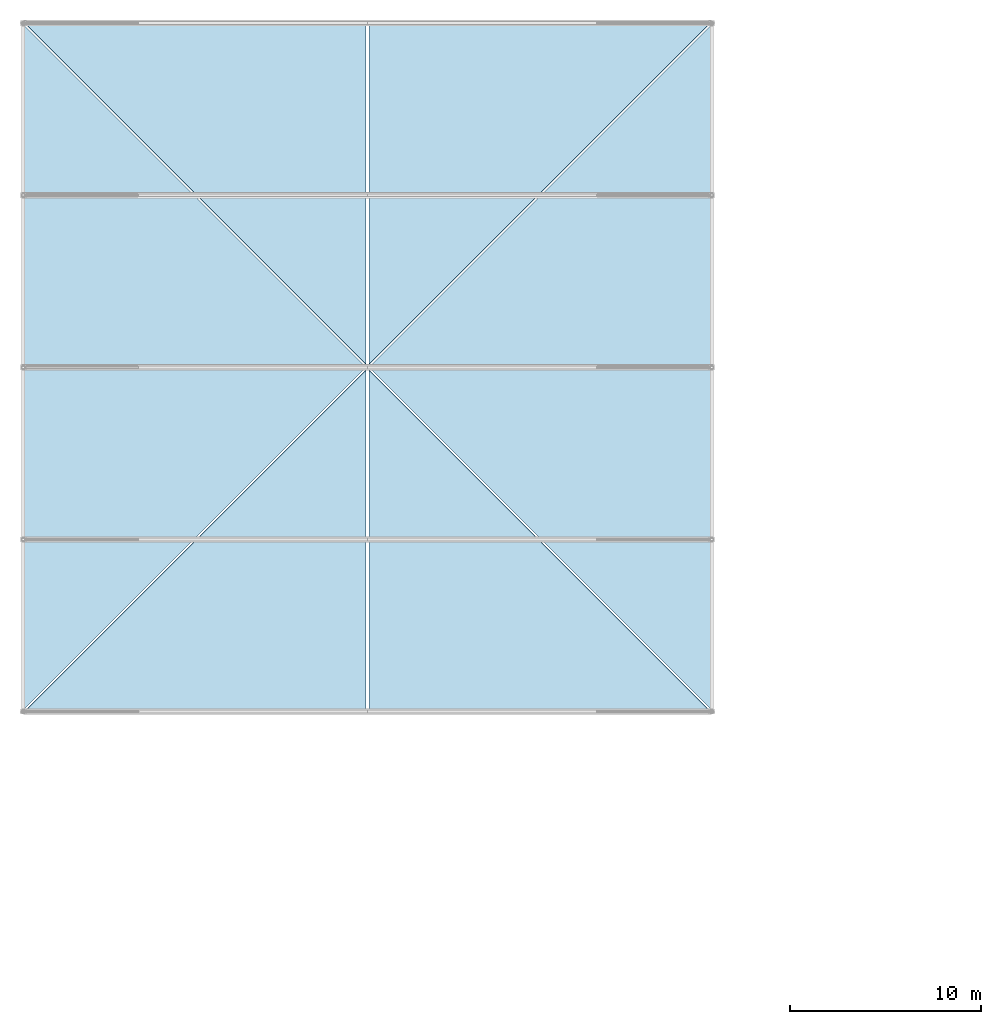
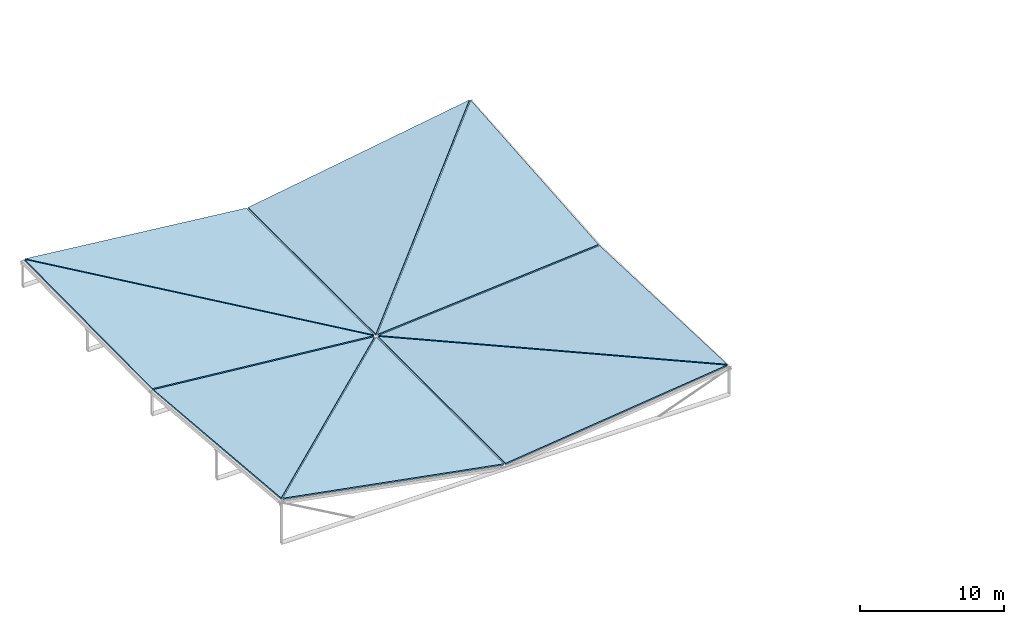
# One storey, part 43 of 44: 8 roofs.
"""IFC4 building model written with IfcOpenShell, lengths in metres."""

from ifc_helpers import new_model, si_unit, direction, frame, origin, place, context, subcontext, project, spatial, polyline, outline, extrude, material, layer, layer_set, type_object, element, save


model = new_model("IFC4")

# Units and contexts
model_context = context("Model", 3, precision=1e-05, world=origin(), true_north=direction((0.0, 1.0)))
body_context = subcontext(model_context, "Body", "Model", "MODEL_VIEW")
ifc_project = project(units=[si_unit("LENGTHUNIT", "METRE"), si_unit("AREAUNIT", "SQUARE_METRE"), si_unit("VOLUMEUNIT", "CUBIC_METRE"), si_unit("PLANEANGLEUNIT", "RADIAN"), si_unit("MASSUNIT", "GRAM", prefix="KILO")], contexts=[model_context])

# Site, building, storey
site_placement = place(None, origin())
site = spatial("IfcSite", under=ifc_project, at=site_placement, CompositionType="ELEMENT")
building_placement = place(site_placement, origin())
building = spatial("IfcBuilding", under=site, at=building_placement, Name="Deido Ridge Mobility Hub", CompositionType="ELEMENT")
storey_placement = place(building_placement, frame((0.0, 0.0, 25.199951171875)))
storey = spatial("IfcBuildingStorey", under=building, at=storey_placement, Name="L06", CompositionType="ELEMENT", Elevation=25.199951171875)

# Roofs
ifc_material = material(Name="Standing-seam aluminium roofing EN AW-3004", Category="aluminium")
ifc_layer = layer(ifc_material, 0.110107421875, Name="Standing-seam aluminium roofing EN AW-3004")
ifc_layer_set = layer_set([ifc_layer], Name="Standing-seam aluminium roofing EN AW-3004")
roof_type = type_object("IfcRoofType", Name="ROOF-SPORTS-BUTTERFLY", PredefinedType="BUTTERFLY_ROOF", material=ifc_layer_set)
roof_1_placement = place(storey_placement, frame((63.14404296875, 45.072021484375, 3.67529296875), z_axis=(0.182435804909, 0.0, 0.983217766869), x_axis=(0.983217766869, 0.0, -0.182435804909)))
element("IfcRoof", 1, at=roof_1_placement, inside=storey, type_object=roof_type, Name="Folded origami standing-seam roof Origami-SW1", PredefinedType="BUTTERFLY_ROOF", context=body_context, shape_type="SweptSolid", body=[
    extrude(outline(polyline([(0.0, 0.0), (18.087483918750312, 0.0), (18.087483918750312, 17.783935546875), (0.0, 0.0)])), origin(), (0.0, 0.0, -1.0), 0.110107421875),
])
roof_2_placement = place(storey_placement, frame((63.072021484375, 45.14404296875, 3.68212890625), z_axis=(0.095850739404, 0.088119523843, 0.991487561835), x_axis=(0.701098054968, 0.701098054968, -0.130088564597)))
element("IfcRoof", 2, at=roof_2_placement, inside=storey, type_object=roof_type, Name="Folded origami standing-seam roof Origami-SW2", PredefinedType="BUTTERFLY_ROOF", context=body_context, shape_type="SweptSolid", body=[
    extrude(outline(polyline([(0.0, 0.0), (25.36583209844407, -1.2108369862318114e-15), (12.67389623663766, 12.575329334968211), (0.0, 0.0)])), origin(), (0.0, 0.0, -1.0), 0.110107421875),
])
roof_3_placement = place(storey_placement, frame((81.072021484375, 45.072021484375, 0.37060546875), z_axis=(-0.118054468763, 0.0, 0.993007121024), x_axis=(0.993007121024, 0.0, 0.118054468763)))
element("IfcRoof", 3, at=roof_3_placement, inside=storey, type_object=roof_type, Name="Folded origami standing-seam roof Origami-SE1", PredefinedType="BUTTERFLY_ROOF", context=body_context, shape_type="SweptSolid", body=[
    extrude(outline(polyline([(0.0, 0.0), (17.909172220767815, 0.0), (0.0, 17.783935546875), (0.0, 0.0)])), origin(), (0.0, 0.0, -1.0), 0.110107421875),
])
roof_4_placement = place(storey_placement, frame((98.927978515625, 45.14404296875, 2.49072265625), z_axis=(-0.079679384453, 0.038738921599, 0.996067513599), x_axis=(0.0, 0.999244568362, -0.038862483178)))
element("IfcRoof", 4, at=roof_4_placement, inside=storey, type_object=roof_type, Name="Folded origami standing-seam roof Origami-SE2", PredefinedType="BUTTERFLY_ROOF", context=body_context, shape_type="SweptSolid", body=[
    extrude(outline(polyline([(0.0, 0.0), (17.797380250987953, 0.0), (17.852666307990148, 17.840659148811717), (0.0, 0.0)])), origin(), (0.0, 0.0, -1.0), 0.110107421875),
])
roof_5_placement = place(storey_placement, frame((63.072021484375, 63.072021484375, 2.095947265625), z_axis=(0.09621918477, -0.011053865447, 0.995298789581), x_axis=(0.995359601909, 0.0, -0.096225063721)))
element("IfcRoof", 5, at=roof_5_placement, inside=storey, type_object=roof_type, Name="Folded origami standing-seam roof Origami-NW1", PredefinedType="BUTTERFLY_ROOF", context=body_context, shape_type="SweptSolid", body=[
    extrude(outline(polyline([(0.0, 0.0), (17.866844819472735, 0.0), (-0.01900538978281876, 17.7850221376888), (0.0, 0.0)])), origin(), (0.0, 0.0, -1.0), 0.110107421875),
])
roof_6_placement = place(storey_placement, frame((63.14404296875, 80.927978515625, 2.28662109375), z_axis=(0.107159136957, 0.0, 0.99424188172), x_axis=(0.70506216181, -0.70506216181, -0.075991420348)))
element("IfcRoof", 6, at=roof_6_placement, inside=storey, type_object=roof_type, Name="Folded origami standing-seam roof Origami-NW2", PredefinedType="BUTTERFLY_ROOF", context=body_context, shape_type="SweptSolid", body=[
    extrude(outline(polyline([(0.0, 0.0), (25.223216490884102, 1.0269562977782698e-15), (12.684436448707224, 12.61139796332314), (0.0, 0.0)])), origin(), (0.0, 0.0, -1.0), 0.110107421875),
])
roof_7_placement = place(storey_placement, frame((81.14404296875, 63.072021484375, 0.379638671875), z_axis=(-0.079465565562, -0.082779471935, 0.993394575643), x_axis=(0.996815757147, 0.0, 0.079739239418)))
element("IfcRoof", 7, at=roof_7_placement, inside=storey, type_object=roof_type, Name="Folded origami standing-seam roof Origami-NE1", PredefinedType="BUTTERFLY_ROOF", context=body_context, shape_type="SweptSolid", body=[
    extrude(outline(polyline([(0.0, 0.0), (17.840744811026756, -1.3877787807814457e-17), (17.95891306865979, 17.84518217824007), (0.0, 0.0)])), origin(), (0.0, 0.0, -1.0), 0.110107421875),
])
roof_8_placement = place(storey_placement, frame((81.072021484375, 63.14404296875, 0.373779296875), z_axis=(-0.161201383919, 0.0, 0.986921533772), x_axis=(0.702437192225, 0.702437192225, 0.114734397445)))
element("IfcRoof", 8, at=roof_8_placement, inside=storey, type_object=roof_type, Name="Folded origami standing-seam roof Origami-NE2", PredefinedType="BUTTERFLY_ROOF", context=body_context, shape_type="SweptSolid", body=[
    extrude(outline(polyline([(0.0, 0.0), (25.317474279137304, -1.5543122344752192e-15), (12.492097752263666, 12.657640273103565), (0.0, 0.0)])), origin(), (0.0, 0.0, -1.0), 0.110107421875),
])

save(model, "model.ifc")
